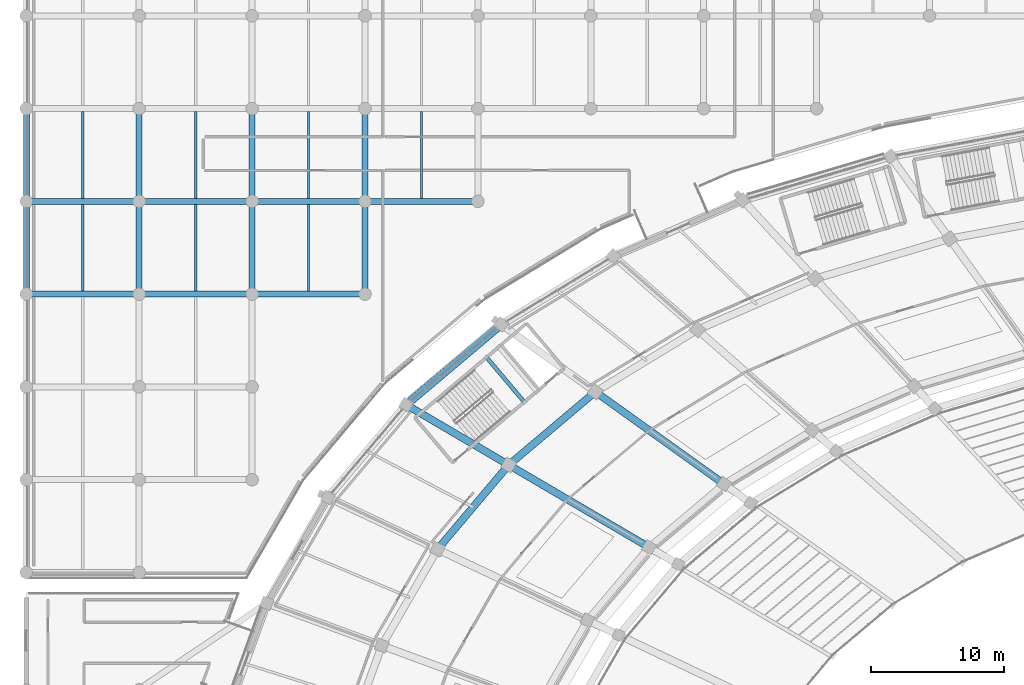
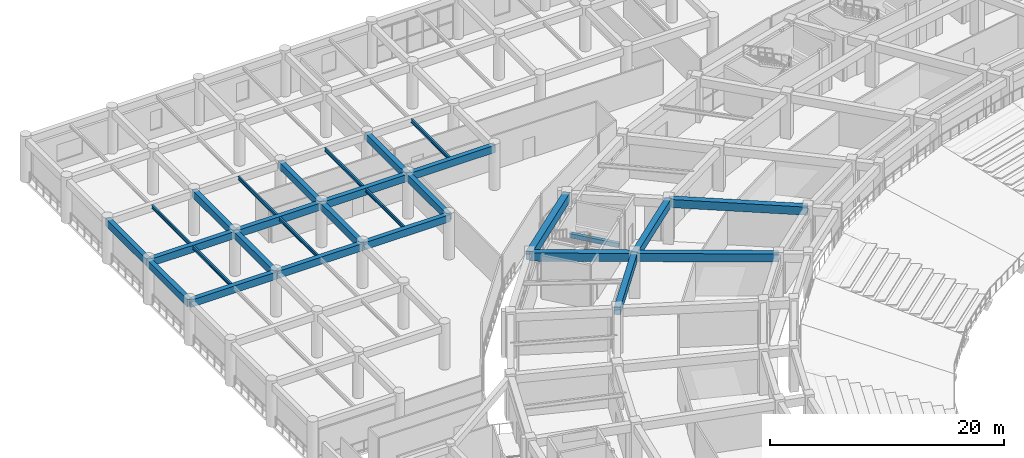
# One storey, part 56 of 152: 29 beams.
"""IFC4 building model written with IfcOpenShell, lengths in metres."""

from ifc_helpers import new_model, si_unit, direction, frame, origin, origin_2d, place, context, subcontext, project, spatial, rectangle, i_section, extrude, material, material_profile, profile_set, type_object, element, save


model = new_model("IFC4")

# Units and contexts
model_context = context("Model", 3, precision=1e-05, world=origin(), true_north=direction((0.0, 1.0)))
body_context = subcontext(model_context, "Body", "Model", "MODEL_VIEW")
ifc_project = project(units=[si_unit("LENGTHUNIT", "METRE"), si_unit("AREAUNIT", "SQUARE_METRE"), si_unit("VOLUMEUNIT", "CUBIC_METRE"), si_unit("PLANEANGLEUNIT", "RADIAN"), si_unit("MASSUNIT", "GRAM", prefix="KILO")], contexts=[model_context])

# Site, building, storey
site_placement = place(None, origin())
site = spatial("IfcSite", under=ifc_project, at=site_placement, CompositionType="ELEMENT")
building_placement = place(site_placement, origin())
building = spatial("IfcBuilding", under=site, at=building_placement, Name="Mphavela Belvedere Stadium", CompositionType="ELEMENT")
storey_placement = place(building_placement, frame((0.0, 0.0, 5.39990234375)))
storey = spatial("IfcBuildingStorey", under=building, at=storey_placement, Name="L01", CompositionType="ELEMENT", Elevation=5.39990234375)

# Beams
ifc_material_1 = material(Name="Concrete C40/50", Category="concrete")
ifc_material_profile_1 = material_profile(ifc_material_1, rectangle(XDim=0.60009765625, YDim=0.949951171875, at=origin_2d()), Name="RC 600x950")
ifc_profile_set_1 = profile_set([ifc_material_profile_1], Name="Concrete C40/50")
beam_type_1 = type_object("IfcBeamType", Name="BM-ENTABLATURE-950", PredefinedType="SPANDREL", material=ifc_profile_set_1)
beam_1_placement = place(storey_placement, frame((35.844482421875, 143.714599609375, 4.0751953125), z_axis=(-0.76426547638, -0.644901761212, 0.0), x_axis=(0.644901761212, -0.76426547638, 0.0)))
element("IfcBeam", 1, at=beam_1_placement, inside=storey, type_object=beam_type_1, Name="Circumferential girder L01 R4-19", PredefinedType="SPANDREL", context=body_context, shape_type="SweptSolid", body=[
    extrude(rectangle(XDim=0.60009765625, YDim=0.949951171875, at=origin_2d()), origin(), (0.0, 0.0, 1.0), 9.3984375),
])
ifc_material_2 = material(Name="Steel S355", Category="steel")
ifc_material_profile_2 = material_profile(ifc_material_2, i_section(OverallWidth=0.169921875, OverallDepth=0.360107421875, WebThickness=0.008056640625, FlangeThickness=0.0126953125, at=origin_2d()), Name="IPE 360")
ifc_profile_set_2 = profile_set([ifc_material_profile_2], Name="Steel S355")
beam_type_2 = type_object("IfcBeamType", Name="BM-JOIST-IPE360", PredefinedType="JOIST", material=ifc_profile_set_2)
for number, where, z_axis, x_axis, name in (
    (2, (4.259521484375, 146.22509765625, 4.360107421875), (0.0, 1.0, 0.0), (-1.0, 0.0, 0.0), "North Mast and Ceremonial End Forecourt secondary joist L01 1-4"),
    (3, (4.259521484375, 153.22509765625, 4.360107421875), (0.0, 1.0, 0.0), (-1.0, 0.0, 0.0), "North Mast and Ceremonial End Forecourt secondary joist L01 1-5"),
    (4, (12.778076171875, 146.22509765625, 4.360107421875), (0.0, 1.0, 0.0), (-1.0, 0.0, 0.0), "North Mast and Ceremonial End Forecourt secondary joist L01 2-4"),
    (5, (12.778076171875, 153.22509765625, 4.360107421875), (0.0, 1.0, 0.0), (-1.0, 0.0, 0.0), "North Mast and Ceremonial End Forecourt secondary joist L01 2-5"),
    (6, (21.29638671875, 146.22509765625, 4.360107421875), (0.0, 1.0, 0.0), (-1.0, 0.0, 0.0), "North Mast and Ceremonial End Forecourt secondary joist L01 3-4"),
    (7, (21.29638671875, 153.22509765625, 4.360107421875), (0.0, 1.0, 0.0), (-1.0, 0.0, 0.0), "North Mast and Ceremonial End Forecourt secondary joist L01 3-5"),
    (8, (29.81494140625, 153.22509765625, 4.360107421875), (0.0, 1.0, 0.0), (-1.0, 0.0, 0.0), "North Mast and Ceremonial End Forecourt secondary joist L01 4-5"),
):
    element("IfcBeam", number, at=place(storey_placement, frame(where, z_axis=z_axis, x_axis=x_axis)), inside=storey, type_object=beam_type_2, Name=name, PredefinedType="JOIST", context=body_context, shape_type="SweptSolid", body=[
        extrude(i_section(OverallWidth=0.169921875, OverallDepth=0.360107421875, WebThickness=0.008056640625, FlangeThickness=0.0126953125, at=origin_2d()), origin(), (0.0, 0.0, 1.0), 6.5498046875),
    ])
ifc_material_3 = material(Name="Concrete C40/50", Category="concrete")
ifc_material_profile_3 = material_profile(ifc_material_3, rectangle(XDim=0.300048828125, YDim=0.449951171875, at=origin_2d()), Name="RC 300x450")
ifc_profile_set_3 = profile_set([ifc_material_profile_3], Name="Concrete C40/50")
beam_type_3 = type_object("IfcBeamType", Name="BM-RC300x450", PredefinedType="BEAM", material=ifc_profile_set_3)
beam_2_placement = place(storey_placement, frame((37.5927734375, 137.838623046875, 1.97509765625), z_axis=(-0.644915803055, 0.764253627384, 0.0), x_axis=(-0.764253627384, -0.644915803055, 0.0)))
element("IfcBeam", 9, at=beam_2_placement, inside=storey, type_object=beam_type_3, Name="Core C05 landing trimmer beam L01-1", PredefinedType="BEAM", context=body_context, shape_type="SweptSolid", body=[
    extrude(rectangle(XDim=0.300048828125, YDim=0.449951171875, at=origin_2d()), origin(), (0.0, 0.0, 1.0), 4.469970703125),
])
ifc_material_4 = material(Name="Concrete C40/50", Category="concrete")
ifc_material_profile_4 = material_profile(ifc_material_4, rectangle(XDim=0.449951171875, YDim=0.75, at=origin_2d()), Name="RC 450x750")
ifc_profile_set_4 = profile_set([ifc_material_profile_4], Name="Concrete C40/50")
beam_type_4 = type_object("IfcBeamType", Name="BM-RC450x750", PredefinedType="BEAM", material=ifc_profile_set_4)
beam_3_placement = place(storey_placement, frame((0.0, 146.0, 4.1650390625), z_axis=(1.0, 0.0, 0.0), x_axis=(0.0, 1.0, 0.0)))
element("IfcBeam", 10, at=beam_3_placement, inside=storey, type_object=beam_type_4, Name="North Mast and Ceremonial End Forecourt entablature beam X L01 1-4", PredefinedType="BEAM", context=body_context, shape_type="SweptSolid", body=[
    extrude(rectangle(XDim=0.449951171875, YDim=0.75, at=origin_2d()), origin(), (0.0, 0.0, 1.0), 8.51904296875),
])
beam_4_placement = place(storey_placement, frame((0.0, 146.0, 4.1650390625), z_axis=(0.0, 1.0, 0.0), x_axis=(-1.0, 0.0, 0.0)))
element("IfcBeam", 11, at=beam_4_placement, inside=storey, type_object=beam_type_4, Name="North Mast and Ceremonial End Forecourt entablature beam Y L01 1-4", PredefinedType="BEAM", context=body_context, shape_type="SweptSolid", body=[
    extrude(rectangle(XDim=0.449951171875, YDim=0.75, at=origin_2d()), origin(), (0.0, 0.0, 1.0), 7.0),
])
beam_5_placement = place(storey_placement, frame((0.0, 153.0, 4.1650390625), z_axis=(1.0, 0.0, 0.0), x_axis=(0.0, 1.0, 0.0)))
element("IfcBeam", 12, at=beam_5_placement, inside=storey, type_object=beam_type_4, Name="North Mast and Ceremonial End Forecourt entablature beam X L01 1-5", PredefinedType="BEAM", context=body_context, shape_type="SweptSolid", body=[
    extrude(rectangle(XDim=0.449951171875, YDim=0.75, at=origin_2d()), origin(), (0.0, 0.0, 1.0), 8.51904296875),
])
beam_6_placement = place(storey_placement, frame((0.0, 153.0, 4.1650390625), z_axis=(0.0, 1.0, 0.0), x_axis=(-1.0, 0.0, 0.0)))
element("IfcBeam", 13, at=beam_6_placement, inside=storey, type_object=beam_type_4, Name="North Mast and Ceremonial End Forecourt entablature beam Y L01 1-5", PredefinedType="BEAM", context=body_context, shape_type="SweptSolid", body=[
    extrude(rectangle(XDim=0.449951171875, YDim=0.75, at=origin_2d()), origin(), (0.0, 0.0, 1.0), 7.0),
])
beam_7_placement = place(storey_placement, frame((8.51904296875, 146.0, 4.1650390625), z_axis=(1.0, 0.0, 0.0), x_axis=(0.0, 1.0, 0.0)))
element("IfcBeam", 14, at=beam_7_placement, inside=storey, type_object=beam_type_4, Name="North Mast and Ceremonial End Forecourt entablature beam X L01 2-4", PredefinedType="BEAM", context=body_context, shape_type="SweptSolid", body=[
    extrude(rectangle(XDim=0.449951171875, YDim=0.75, at=origin_2d()), origin(), (0.0, 0.0, 1.0), 8.51806640625),
])
beam_8_placement = place(storey_placement, frame((8.51904296875, 146.0, 4.1650390625), z_axis=(0.0, 1.0, 0.0), x_axis=(-1.0, 0.0, 0.0)))
element("IfcBeam", 15, at=beam_8_placement, inside=storey, type_object=beam_type_4, Name="North Mast and Ceremonial End Forecourt entablature beam Y L01 2-4", PredefinedType="BEAM", context=body_context, shape_type="SweptSolid", body=[
    extrude(rectangle(XDim=0.449951171875, YDim=0.75, at=origin_2d()), origin(), (0.0, 0.0, 1.0), 7.0),
])
beam_9_placement = place(storey_placement, frame((8.51904296875, 153.0, 4.1650390625), z_axis=(1.0, 0.0, 0.0), x_axis=(0.0, 1.0, 0.0)))
element("IfcBeam", 16, at=beam_9_placement, inside=storey, type_object=beam_type_4, Name="North Mast and Ceremonial End Forecourt entablature beam X L01 2-5", PredefinedType="BEAM", context=body_context, shape_type="SweptSolid", body=[
    extrude(rectangle(XDim=0.449951171875, YDim=0.75, at=origin_2d()), origin(), (0.0, 0.0, 1.0), 8.51806640625),
])
beam_10_placement = place(storey_placement, frame((8.51904296875, 153.0, 4.1650390625), z_axis=(0.0, 1.0, 0.0), x_axis=(-1.0, 0.0, 0.0)))
element("IfcBeam", 17, at=beam_10_placement, inside=storey, type_object=beam_type_4, Name="North Mast and Ceremonial End Forecourt entablature beam Y L01 2-5", PredefinedType="BEAM", context=body_context, shape_type="SweptSolid", body=[
    extrude(rectangle(XDim=0.449951171875, YDim=0.75, at=origin_2d()), origin(), (0.0, 0.0, 1.0), 7.0),
])
beam_11_placement = place(storey_placement, frame((17.037109375, 146.0, 4.1650390625), z_axis=(1.0, 0.0, 0.0), x_axis=(0.0, 1.0, 0.0)))
element("IfcBeam", 18, at=beam_11_placement, inside=storey, type_object=beam_type_4, Name="North Mast and Ceremonial End Forecourt entablature beam X L01 3-4", PredefinedType="BEAM", context=body_context, shape_type="SweptSolid", body=[
    extrude(rectangle(XDim=0.449951171875, YDim=0.75, at=origin_2d()), origin(), (0.0, 0.0, 1.0), 8.518798828125),
])
beam_12_placement = place(storey_placement, frame((17.037109375, 146.0, 4.1650390625), z_axis=(0.0, 1.0, 0.0), x_axis=(-1.0, 0.0, 0.0)))
element("IfcBeam", 19, at=beam_12_placement, inside=storey, type_object=beam_type_4, Name="North Mast and Ceremonial End Forecourt entablature beam Y L01 3-4", PredefinedType="BEAM", context=body_context, shape_type="SweptSolid", body=[
    extrude(rectangle(XDim=0.449951171875, YDim=0.75, at=origin_2d()), origin(), (0.0, 0.0, 1.0), 7.0),
])
beam_13_placement = place(storey_placement, frame((17.037109375, 153.0, 4.1650390625), z_axis=(1.0, 0.0, 0.0), x_axis=(0.0, 1.0, 0.0)))
element("IfcBeam", 20, at=beam_13_placement, inside=storey, type_object=beam_type_4, Name="North Mast and Ceremonial End Forecourt entablature beam X L01 3-5", PredefinedType="BEAM", context=body_context, shape_type="SweptSolid", body=[
    extrude(rectangle(XDim=0.449951171875, YDim=0.75, at=origin_2d()), origin(), (0.0, 0.0, 1.0), 8.518798828125),
])
for number, where, z_axis, x_axis, name in (
    (21, (17.037109375, 153.0, 4.1650390625), (0.0, 1.0, 0.0), (-1.0, 0.0, 0.0), "North Mast and Ceremonial End Forecourt entablature beam Y L01 3-5"),
    (22, (25.555908203125, 146.0, 4.1650390625), (0.0, 1.0, 0.0), (-1.0, 0.0, 0.0), "North Mast and Ceremonial End Forecourt entablature beam Y L01 4-4"),
):
    element("IfcBeam", number, at=place(storey_placement, frame(where, z_axis=z_axis, x_axis=x_axis)), inside=storey, type_object=beam_type_4, Name=name, PredefinedType="BEAM", context=body_context, shape_type="SweptSolid", body=[
        extrude(rectangle(XDim=0.449951171875, YDim=0.75, at=origin_2d()), origin(), (0.0, 0.0, 1.0), 7.0),
    ])
beam_14_placement = place(storey_placement, frame((25.555908203125, 153.0, 4.1650390625), z_axis=(1.0, 0.0, 0.0), x_axis=(0.0, 1.0, 0.0)))
element("IfcBeam", 23, at=beam_14_placement, inside=storey, type_object=beam_type_4, Name="North Mast and Ceremonial End Forecourt entablature beam X L01 4-5", PredefinedType="BEAM", context=body_context, shape_type="SweptSolid", body=[
    extrude(rectangle(XDim=0.449951171875, YDim=0.75, at=origin_2d()), origin(), (0.0, 0.0, 1.0), 8.51806640625),
])
beam_15_placement = place(storey_placement, frame((25.555908203125, 153.0, 4.1650390625), z_axis=(0.0, 1.0, 0.0), x_axis=(-1.0, 0.0, 0.0)))
element("IfcBeam", 24, at=beam_15_placement, inside=storey, type_object=beam_type_4, Name="North Mast and Ceremonial End Forecourt entablature beam Y L01 4-5", PredefinedType="BEAM", context=body_context, shape_type="SweptSolid", body=[
    extrude(rectangle(XDim=0.449951171875, YDim=0.75, at=origin_2d()), origin(), (0.0, 0.0, 1.0), 7.0),
])
ifc_material_5 = material(Name="Concrete C40/50", Category="concrete")
ifc_material_profile_5 = material_profile(ifc_material_5, rectangle(XDim=0.550048828125, YDim=0.85009765625, at=origin_2d()), Name="RC 550x850")
ifc_profile_set_5 = profile_set([ifc_material_profile_5], Name="Concrete C40/50")
beam_type_5 = type_object("IfcBeamType", Name="BM-RC550x850", PredefinedType="BEAM", material=ifc_profile_set_5)
beam_16_placement = place(storey_placement, frame((42.938720703125, 138.631591796875, 4.125), z_axis=(-0.764263355392, -0.644904274761, 0.0), x_axis=(0.644904274761, -0.764263355392, 0.0)))
element("IfcBeam", 25, at=beam_16_placement, inside=storey, type_object=beam_type_5, Name="Circumferential girder L01 R3-19", PredefinedType="BEAM", context=body_context, shape_type="SweptSolid", body=[
    extrude(rectangle(XDim=0.550048828125, YDim=0.85009765625, at=origin_2d()), origin(), (0.0, 0.0, 1.0), 8.55615234375),
])
beam_17_placement = place(storey_placement, frame((52.646240234375, 131.676025390625, 4.125), z_axis=(-0.812876169184, 0.582436548967, 0.0), x_axis=(-0.582436548967, -0.812876169184, 0.0)))
element("IfcBeam", 26, at=beam_17_placement, inside=storey, type_object=beam_type_5, Name="Radial concourse girder L01 R2R3-19", PredefinedType="BEAM", context=body_context, shape_type="SweptSolid", body=[
    extrude(rectangle(XDim=0.550048828125, YDim=0.85009765625, at=origin_2d()), origin(), (0.0, 0.0, 1.0), 11.942138671875),
])
beam_18_placement = place(storey_placement, frame((36.399658203125, 133.11376953125, 4.125), z_axis=(-0.645177396673, -0.764032804808, 0.0), x_axis=(0.764032804808, -0.645177396673, 0.0)))
element("IfcBeam", 27, at=beam_18_placement, inside=storey, type_object=beam_type_5, Name="Circumferential girder L01 R3-20", PredefinedType="BEAM", context=body_context, shape_type="SweptSolid", body=[
    extrude(rectangle(XDim=0.550048828125, YDim=0.85009765625, at=origin_2d()), origin(), (0.0, 0.0, 1.0), 8.331298828125),
])
beam_19_placement = place(storey_placement, frame((46.98828125, 126.901611328125, 4.125), z_axis=(-0.862519003522, 0.506024671892, 0.0), x_axis=(-0.506024671892, -0.862519003522, 0.0)))
element("IfcBeam", 28, at=beam_19_placement, inside=storey, type_object=beam_type_5, Name="Radial concourse girder L01 R2R3-20", PredefinedType="BEAM", context=body_context, shape_type="SweptSolid", body=[
    extrude(rectangle(XDim=0.550048828125, YDim=0.85009765625, at=origin_2d()), origin(), (0.0, 0.0, 1.0), 12.2763671875),
])
beam_20_placement = place(storey_placement, frame((36.399658203125, 133.11376953125, 4.125), z_axis=(-0.862517779395, 0.506026758411, 0.0), x_axis=(-0.506026758411, -0.862517779395, 0.0)))
element("IfcBeam", 29, at=beam_20_placement, inside=storey, type_object=beam_type_5, Name="Radial concourse girder L01 R3R4-20", PredefinedType="BEAM", context=body_context, shape_type="SweptSolid", body=[
    extrude(rectangle(XDim=0.550048828125, YDim=0.85009765625, at=origin_2d()), origin(), (0.0, 0.0, 1.0), 8.971435546875),
])

save(model, "model.ifc")
